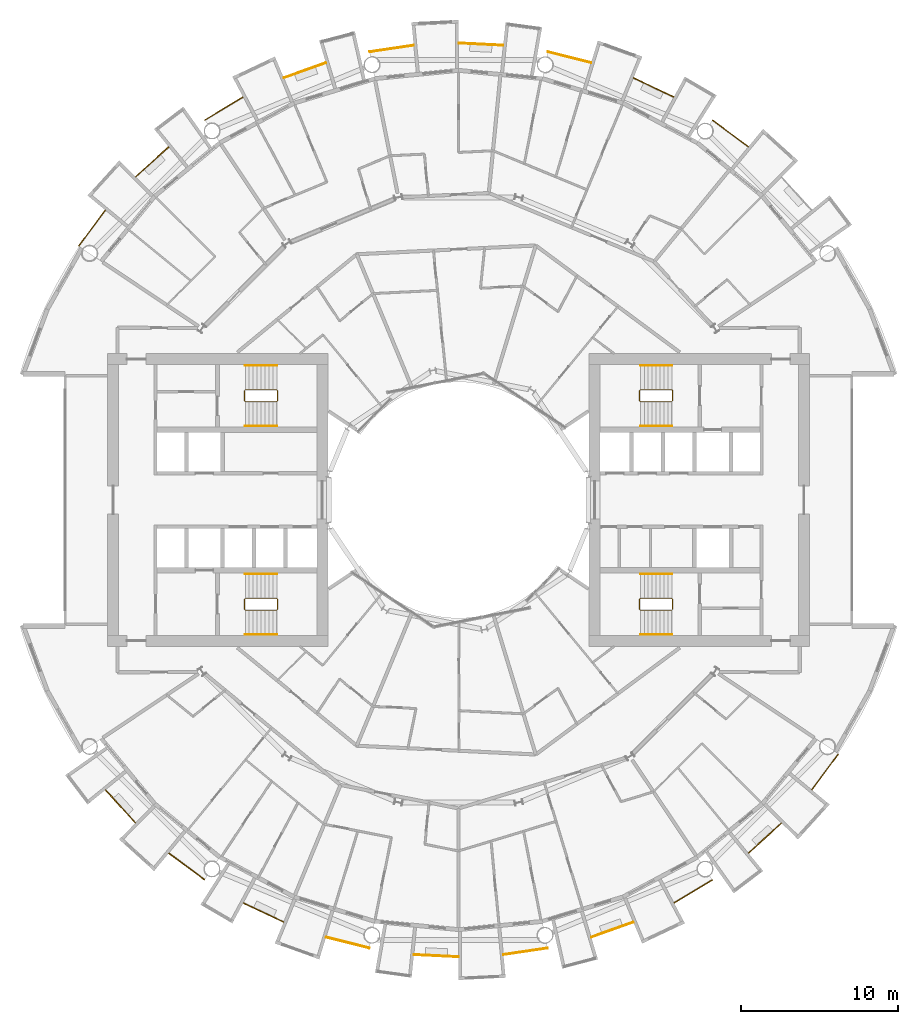
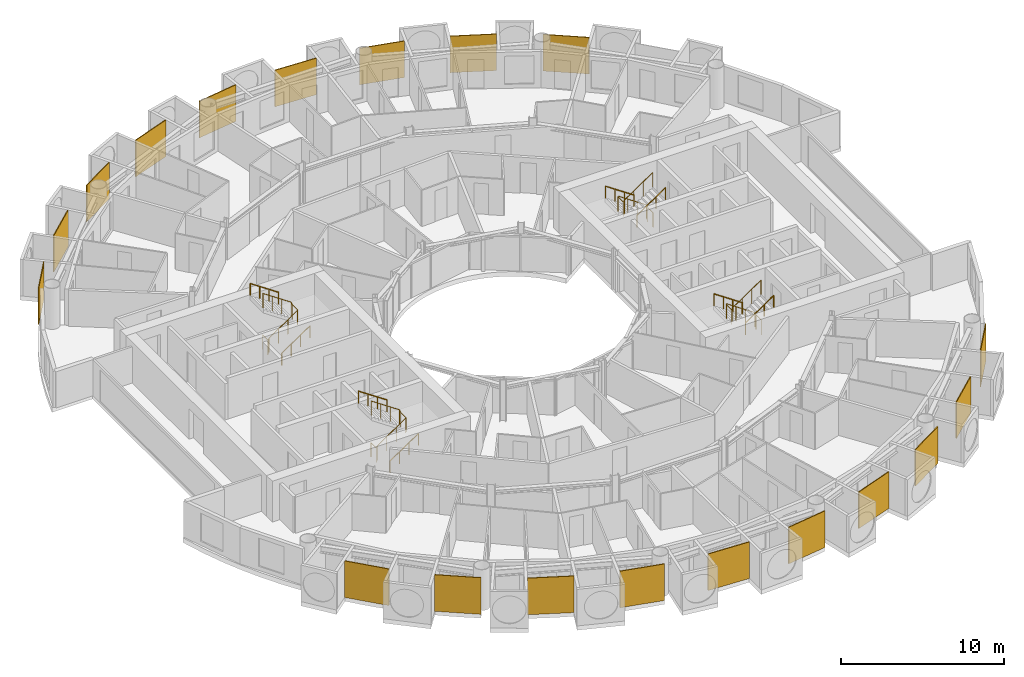
# One storey, part 25 of 26: 31 railings.
"""IFC4 building model written with IfcOpenShell, lengths in metres."""

from ifc_helpers import new_model, si_unit, direction, frame, origin, origin_2d, place, context, subcontext, project, spatial, polyline, circle, outline, extrude, material, layer, layer_set, type_object, element, save


model = new_model("IFC4")

# Units and contexts
model_context = context("Model", 3, precision=1e-05, world=origin(), true_north=direction((0.0, 1.0)))
body_context = subcontext(model_context, "Body", "Model", "MODEL_VIEW")
ifc_project = project(units=[si_unit("LENGTHUNIT", "METRE"), si_unit("AREAUNIT", "SQUARE_METRE"), si_unit("VOLUMEUNIT", "CUBIC_METRE"), si_unit("PLANEANGLEUNIT", "RADIAN"), si_unit("MASSUNIT", "GRAM", prefix="KILO")], contexts=[model_context])

# Site, building, storey
site_placement = place(None, origin())
site = spatial("IfcSite", under=ifc_project, at=site_placement, CompositionType="ELEMENT")
building_placement = place(site_placement, origin())
building = spatial("IfcBuilding", under=site, at=building_placement, Name="Maasbend Ring Residences", CompositionType="ELEMENT")
storey_placement = place(building_placement, frame((0.0, 0.0, 72.75)))
storey = spatial("IfcBuildingStorey", under=building, at=storey_placement, Name="L20", CompositionType="ELEMENT", Elevation=72.75)

# Railings
ifc_material_1 = material(Name="Pale anodised perforated aluminium", Category="aluminium")
ifc_layer = layer(ifc_material_1, 0.06005859375)
ifc_layer_set = layer_set([ifc_layer], Name="SCREEN-P")
railing_type_1 = type_object("IfcRailingType", Name="SCREEN-P", PredefinedType="GUARDRAIL", material=ifc_layer_set)
railing_1_placement = place(storey_placement, frame((0.0, 0.0, -0.030029296875)))
element("IfcRailing", 1, at=railing_1_placement, inside=storey, type_object=railing_type_1, Name="Perforated screen guard 2", PredefinedType="GUARDRAIL", context=body_context, shape_type="SweptSolid", body=[
    extrude(outline(polyline([(18.39697265625, 22.4169921875), (16.112060546875, 24.113037109375), (16.14697265625, 24.160888671875), (18.43310546875, 22.465087890625), (18.39697265625, 22.4169921875)])), origin(), (0.0, 0.0, 1.0), 2.72998046875),
])
railing_2_placement = place(storey_placement, frame((0.0, 0.0, -0.030029296875)))
element("IfcRailing", 2, at=railing_2_placement, inside=storey, type_object=railing_type_1, Name="Perforated screen guard 3", PredefinedType="GUARDRAIL", context=body_context, shape_type="SweptSolid", body=[
    extrude(outline(polyline([(13.6708984375, 25.575927734375), (11.097900390625, 26.79296875), (11.123046875, 26.846923828125), (13.696044921875, 25.6298828125), (13.6708984375, 25.575927734375)])), origin(), (0.0, 0.0, 1.0), 2.72998046875),
])
railing_3_placement = place(storey_placement, frame((0.0, 0.0, -0.030029296875)))
element("IfcRailing", 3, at=railing_3_placement, inside=storey, type_object=railing_type_1, Name="Perforated screen guard 4", PredefinedType="GUARDRAIL", context=body_context, shape_type="SweptSolid", body=[
    extrude(outline(polyline([(8.41796875, 27.7509765625), (5.657958984375, 28.443115234375), (5.672119140625, 28.5009765625), (8.43310546875, 27.80908203125), (8.41796875, 27.7509765625)])), origin(), (0.0, 0.0, 1.0), 2.72998046875),
])
railing_4_placement = place(storey_placement, frame((0.0, 0.0, -0.030029296875)))
element("IfcRailing", 4, at=railing_4_placement, inside=storey, type_object=railing_type_1, Name="Perforated screen guard 5", PredefinedType="GUARDRAIL", context=body_context, shape_type="SweptSolid", body=[
    extrude(outline(polyline([(2.842041015625, 28.860107421875), (0.0, 29.0), (0.0029296875, 29.06005859375), (2.844970703125, 28.919921875), (2.842041015625, 28.860107421875)])), origin(), (0.0, 0.0, 1.0), 2.72998046875),
])
railing_5_placement = place(storey_placement, frame((0.0, 0.0, -0.030029296875)))
element("IfcRailing", 5, at=railing_5_placement, inside=storey, type_object=railing_type_1, Name="Perforated screen guard 6", PredefinedType="GUARDRAIL", context=body_context, shape_type="SweptSolid", body=[
    extrude(outline(polyline([(-2.842041015625, 28.860107421875), (-5.657958984375, 28.443115234375), (-5.666015625, 28.501953125), (-2.85107421875, 28.919921875), (-2.842041015625, 28.860107421875)])), origin(), (0.0, 0.0, 1.0), 2.72998046875),
])
railing_6_placement = place(storey_placement, frame((0.0, 0.0, -0.030029296875)))
element("IfcRailing", 6, at=railing_6_placement, inside=storey, type_object=railing_type_1, Name="Perforated screen guard 7", PredefinedType="GUARDRAIL", context=body_context, shape_type="SweptSolid", body=[
    extrude(outline(polyline([(-8.41796875, 27.7509765625), (-11.097900390625, 26.79296875), (-11.117919921875, 26.84912109375), (-8.43798828125, 27.80810546875), (-8.41796875, 27.7509765625)])), origin(), (0.0, 0.0, 1.0), 2.72998046875),
])
railing_7_placement = place(storey_placement, frame((0.0, 0.0, -0.030029296875)))
element("IfcRailing", 7, at=railing_7_placement, inside=storey, type_object=railing_type_1, Name="Perforated screen guard 8", PredefinedType="GUARDRAIL", context=body_context, shape_type="SweptSolid", body=[
    extrude(outline(polyline([(-13.6708984375, 25.575927734375), (-16.112060546875, 24.113037109375), (-16.14208984375, 24.1640625), (-13.700927734375, 25.626953125), (-13.6708984375, 25.575927734375)])), origin(), (0.0, 0.0, 1.0), 2.72998046875),
])
railing_8_placement = place(storey_placement, frame((0.0, 0.0, -0.030029296875)))
element("IfcRailing", 8, at=railing_8_placement, inside=storey, type_object=railing_type_1, Name="Perforated screen guard 9", PredefinedType="GUARDRAIL", context=body_context, shape_type="SweptSolid", body=[
    extrude(outline(polyline([(-18.39697265625, 22.4169921875), (-20.506103515625, 20.506103515625), (-20.5458984375, 20.551025390625), (-18.43798828125, 22.4619140625), (-18.39697265625, 22.4169921875)])), origin(), (0.0, 0.0, 1.0), 2.72998046875),
])
railing_9_placement = place(storey_placement, frame((0.0, 0.0, -0.030029296875)))
element("IfcRailing", 9, at=railing_9_placement, inside=storey, type_object=railing_type_1, Name="Perforated screen guard 10", PredefinedType="GUARDRAIL", context=body_context, shape_type="SweptSolid", body=[
    extrude(outline(polyline([(-22.4169921875, 18.39697265625), (-24.113037109375, 16.112060546875), (-24.160888671875, 16.14697265625), (-22.465087890625, 18.43310546875), (-22.4169921875, 18.39697265625)])), origin(), (0.0, 0.0, 1.0), 2.72998046875),
])
railing_10_placement = place(storey_placement, frame((0.0, 0.0, -0.030029296875)))
element("IfcRailing", 10, at=railing_10_placement, inside=storey, type_object=railing_type_1, Name="Perforated screen guard 1", PredefinedType="GUARDRAIL", context=body_context, shape_type="SweptSolid", body=[
    extrude(outline(polyline([(-22.4169921875, -18.39697265625), (-20.506103515625, -20.506103515625), (-20.551025390625, -20.5458984375), (-22.4619140625, -18.43798828125), (-22.4169921875, -18.39697265625)])), origin(), (0.0, 0.0, 1.0), 2.72998046875),
])
railing_11_placement = place(storey_placement, frame((0.0, 0.0, -0.030029296875)))
element("IfcRailing", 11, at=railing_11_placement, inside=storey, type_object=railing_type_1, Name="Perforated screen guard 2", PredefinedType="GUARDRAIL", context=body_context, shape_type="SweptSolid", body=[
    extrude(outline(polyline([(-18.39697265625, -22.4169921875), (-16.112060546875, -24.113037109375), (-16.14697265625, -24.160888671875), (-18.43310546875, -22.465087890625), (-18.39697265625, -22.4169921875)])), origin(), (0.0, 0.0, 1.0), 2.72998046875),
])
railing_12_placement = place(storey_placement, frame((0.0, 0.0, -0.030029296875)))
element("IfcRailing", 12, at=railing_12_placement, inside=storey, type_object=railing_type_1, Name="Perforated screen guard 3", PredefinedType="GUARDRAIL", context=body_context, shape_type="SweptSolid", body=[
    extrude(outline(polyline([(-13.6708984375, -25.575927734375), (-11.097900390625, -26.79296875), (-11.123046875, -26.846923828125), (-13.696044921875, -25.6298828125), (-13.6708984375, -25.575927734375)])), origin(), (0.0, 0.0, 1.0), 2.72998046875),
])
railing_13_placement = place(storey_placement, frame((0.0, 0.0, -0.030029296875)))
element("IfcRailing", 13, at=railing_13_placement, inside=storey, type_object=railing_type_1, Name="Perforated screen guard 4", PredefinedType="GUARDRAIL", context=body_context, shape_type="SweptSolid", body=[
    extrude(outline(polyline([(-8.41796875, -27.7509765625), (-5.657958984375, -28.443115234375), (-5.672119140625, -28.5009765625), (-8.43310546875, -27.80908203125), (-8.41796875, -27.7509765625)])), origin(), (0.0, 0.0, 1.0), 2.72998046875),
])
railing_14_placement = place(storey_placement, frame((0.0, 0.0, -0.030029296875)))
element("IfcRailing", 14, at=railing_14_placement, inside=storey, type_object=railing_type_1, Name="Perforated screen guard 5", PredefinedType="GUARDRAIL", context=body_context, shape_type="SweptSolid", body=[
    extrude(outline(polyline([(-2.842041015625, -28.860107421875), (0.0, -29.0), (-0.0029296875, -29.06005859375), (-2.844970703125, -28.919921875), (-2.842041015625, -28.860107421875)])), origin(), (0.0, 0.0, 1.0), 2.72998046875),
])
railing_15_placement = place(storey_placement, frame((0.0, 0.0, -0.030029296875)))
element("IfcRailing", 15, at=railing_15_placement, inside=storey, type_object=railing_type_1, Name="Perforated screen guard 6", PredefinedType="GUARDRAIL", context=body_context, shape_type="SweptSolid", body=[
    extrude(outline(polyline([(2.842041015625, -28.860107421875), (5.657958984375, -28.443115234375), (5.666015625, -28.501953125), (2.85107421875, -28.919921875), (2.842041015625, -28.860107421875)])), origin(), (0.0, 0.0, 1.0), 2.72998046875),
])
railing_16_placement = place(storey_placement, frame((0.0, 0.0, -0.030029296875)))
element("IfcRailing", 16, at=railing_16_placement, inside=storey, type_object=railing_type_1, Name="Perforated screen guard 7", PredefinedType="GUARDRAIL", context=body_context, shape_type="SweptSolid", body=[
    extrude(outline(polyline([(8.41796875, -27.7509765625), (11.097900390625, -26.79296875), (11.117919921875, -26.84912109375), (8.43798828125, -27.80810546875), (8.41796875, -27.7509765625)])), origin(), (0.0, 0.0, 1.0), 2.72998046875),
])
railing_17_placement = place(storey_placement, frame((0.0, 0.0, -0.030029296875)))
element("IfcRailing", 17, at=railing_17_placement, inside=storey, type_object=railing_type_1, Name="Perforated screen guard 8", PredefinedType="GUARDRAIL", context=body_context, shape_type="SweptSolid", body=[
    extrude(outline(polyline([(13.6708984375, -25.575927734375), (16.112060546875, -24.113037109375), (16.14208984375, -24.1640625), (13.700927734375, -25.626953125), (13.6708984375, -25.575927734375)])), origin(), (0.0, 0.0, 1.0), 2.72998046875),
])
railing_18_placement = place(storey_placement, frame((0.0, 0.0, -0.030029296875)))
element("IfcRailing", 18, at=railing_18_placement, inside=storey, type_object=railing_type_1, Name="Perforated screen guard 9", PredefinedType="GUARDRAIL", context=body_context, shape_type="SweptSolid", body=[
    extrude(outline(polyline([(18.39697265625, -22.4169921875), (20.506103515625, -20.506103515625), (20.5458984375, -20.551025390625), (18.43798828125, -22.4619140625), (18.39697265625, -22.4169921875)])), origin(), (0.0, 0.0, 1.0), 2.72998046875),
])
railing_19_placement = place(storey_placement, frame((0.0, 0.0, -0.030029296875)))
element("IfcRailing", 19, at=railing_19_placement, inside=storey, type_object=railing_type_1, Name="Perforated screen guard 10", PredefinedType="GUARDRAIL", context=body_context, shape_type="SweptSolid", body=[
    extrude(outline(polyline([(22.4169921875, -18.39697265625), (24.113037109375, -16.112060546875), (24.160888671875, -16.14697265625), (22.465087890625, -18.43310546875), (22.4169921875, -18.39697265625)])), origin(), (0.0, 0.0, 1.0), 2.72998046875),
])
ifc_material_2 = material(Name="Stainless steel 316", Category="steel")
railing_type_2 = type_object("IfcRailingType", Name="STAIR GUARD 1100", PredefinedType="GUARDRAIL", material=ifc_material_2)
railing_20_placement = place(storey_placement, frame((13.60009765625, 6.300048828125, 0.0)))
element("IfcRailing", 20, at=railing_20_placement, inside=storey, type_object=railing_type_2, Name="L20 ST-E1 stair guard 1", PredefinedType="GUARDRAIL", context=body_context, shape_type="SweptSolid", body=[
    extrude(circle(Radius=0.02392578125, at=origin_2d()), frame((0.0, 0.0, 1.076171875), z_axis=(0.0, 1.0, 0.0), x_axis=(-1.0, 0.0, 0.0)), (0.0, 0.0, 1.0), 0.64990234375),
    extrude(circle(Radius=0.02392578125, at=origin_2d()), frame((0.0, 0.64990234375, 1.076171875), z_axis=(-0.272562526181, 0.272562526181, 0.92272386912), x_axis=(-0.707106781187, -0.707106781187, 0.0)), (0.0, 0.0, 1.0), 0.18359375),
    extrude(circle(Radius=0.02392578125, at=origin_2d()), frame((-0.050048828125, 0.699951171875, 1.24560546875), z_axis=(-0.827797584762, 0.0, 0.561026878735), x_axis=(0.0, -1.0, 0.0)), (0.0, 0.0, 1.0), 2.416015625),
    extrude(circle(Radius=0.02392578125, at=origin_2d()), frame((-2.050048828125, 0.699951171875, 2.60107421875), z_axis=(-0.707106781187, -0.707106781187, 0.0), x_axis=(0.707106781187, -0.707106781187, 0.0)), (0.0, 0.0, 1.0), 0.07080078125),
    extrude(circle(Radius=0.02392578125, at=origin_2d()), frame((-2.10009765625, 0.64990234375, 2.60107421875), z_axis=(0.0, -1.0, 0.0), x_axis=(1.0, 0.0, 0.0)), (0.0, 0.0, 1.0), 0.64990234375),
    extrude(circle(Radius=0.02392578125, at=origin_2d()), frame((-2.10009765625, 0.0, 2.60107421875), z_axis=(0.272562526181, -0.272562526181, 0.92272386912), x_axis=(0.707106781187, 0.707106781187, 0.0)), (0.0, 0.0, 1.0), 0.18359375),
    extrude(circle(Radius=0.02392578125, at=origin_2d()), frame((-2.050048828125, -0.050048828125, 2.7705078125), z_axis=(0.827750655447, 0.0, 0.561096116906), x_axis=(0.0, 1.0, 0.0)), (0.0, 0.0, 1.0), 2.416259765625),
    extrude(circle(Radius=0.02099609375, at=origin_2d()), origin(), (0.0, 0.0, 1.0), 1.052001953125),
    extrude(circle(Radius=0.02099609375, at=origin_2d()), frame((0.0, 0.64990234375, 0.0)), (0.0, 0.0, 1.0), 1.052001953125),
    extrude(circle(Radius=0.02099609375, at=origin_2d()), frame((-0.050048828125, 0.699951171875, 0.16943359375)), (0.0, 0.0, 1.0), 1.052001953125),
    extrude(circle(Radius=0.02099609375, at=origin_2d()), frame((-0.716796875, 0.699951171875, 0.621337890625)), (0.0, 0.0, 1.0), 1.052001953125),
    extrude(circle(Radius=0.02099609375, at=origin_2d()), frame((-1.38330078125, 0.699951171875, 1.072998046875)), (0.0, 0.0, 1.0), 1.052001953125),
    extrude(circle(Radius=0.02099609375, at=origin_2d()), frame((-2.050048828125, 0.699951171875, 1.52490234375)), (0.0, 0.0, 1.0), 1.052001953125),
    extrude(circle(Radius=0.02099609375, at=origin_2d()), frame((-2.10009765625, 0.64990234375, 1.52490234375)), (0.0, 0.0, 1.0), 1.052001953125),
    extrude(circle(Radius=0.02099609375, at=origin_2d()), frame((-2.10009765625, 0.0, 1.52490234375)), (0.0, 0.0, 1.0), 1.052001953125),
    extrude(circle(Radius=0.02099609375, at=origin_2d()), frame((-2.050048828125, -0.050048828125, 1.6943359375)), (0.0, 0.0, 1.0), 1.052001953125),
    extrude(circle(Radius=0.02099609375, at=origin_2d()), frame((-1.38330078125, -0.050048828125, 2.146240234375)), (0.0, 0.0, 1.0), 1.052001953125),
    extrude(circle(Radius=0.02099609375, at=origin_2d()), frame((-0.716796875, -0.050048828125, 2.59814453125)), (0.0, 0.0, 1.0), 1.052001953125),
    extrude(circle(Radius=0.02099609375, at=origin_2d()), frame((-0.050048828125, -0.050048828125, 3.050048828125)), (0.0, 0.0, 1.0), 1.052001953125),
])
railing_21_placement = place(storey_placement, frame((13.60009765625, -6.949951171875, 0.0)))
element("IfcRailing", 21, at=railing_21_placement, inside=storey, type_object=railing_type_2, Name="L20 ST-E2 stair guard 1", PredefinedType="GUARDRAIL", context=body_context, shape_type="SweptSolid", body=[
    extrude(circle(Radius=0.02392578125, at=origin_2d()), frame((0.0, 0.0, 1.076171875), z_axis=(0.0, 1.0, 0.0), x_axis=(-1.0, 0.0, 0.0)), (0.0, 0.0, 1.0), 0.64990234375),
    extrude(circle(Radius=0.02392578125, at=origin_2d()), frame((0.0, 0.64990234375, 1.076171875), z_axis=(-0.272562526181, 0.272562526181, 0.92272386912), x_axis=(-0.707106781187, -0.707106781187, 0.0)), (0.0, 0.0, 1.0), 0.18359375),
    extrude(circle(Radius=0.02392578125, at=origin_2d()), frame((-0.050048828125, 0.699951171875, 1.24560546875), z_axis=(-0.827797584762, 0.0, 0.561026878735), x_axis=(0.0, -1.0, 0.0)), (0.0, 0.0, 1.0), 2.416015625),
    extrude(circle(Radius=0.02392578125, at=origin_2d()), frame((-2.050048828125, 0.699951171875, 2.60107421875), z_axis=(-0.707106781187, -0.707106781187, 0.0), x_axis=(0.707106781187, -0.707106781187, 0.0)), (0.0, 0.0, 1.0), 0.07080078125),
    extrude(circle(Radius=0.02392578125, at=origin_2d()), frame((-2.10009765625, 0.64990234375, 2.60107421875), z_axis=(0.0, -1.0, 0.0), x_axis=(1.0, 0.0, 0.0)), (0.0, 0.0, 1.0), 0.64990234375),
    extrude(circle(Radius=0.02392578125, at=origin_2d()), frame((-2.10009765625, 0.0, 2.60107421875), z_axis=(0.272562526181, -0.272562526181, 0.92272386912), x_axis=(0.707106781187, 0.707106781187, 0.0)), (0.0, 0.0, 1.0), 0.18359375),
    extrude(circle(Radius=0.02392578125, at=origin_2d()), frame((-2.050048828125, -0.050048828125, 2.7705078125), z_axis=(0.827750655447, 0.0, 0.561096116906), x_axis=(0.0, 1.0, 0.0)), (0.0, 0.0, 1.0), 2.416259765625),
    extrude(circle(Radius=0.02099609375, at=origin_2d()), origin(), (0.0, 0.0, 1.0), 1.052001953125),
    extrude(circle(Radius=0.02099609375, at=origin_2d()), frame((0.0, 0.64990234375, 0.0)), (0.0, 0.0, 1.0), 1.052001953125),
    extrude(circle(Radius=0.02099609375, at=origin_2d()), frame((-0.050048828125, 0.699951171875, 0.16943359375)), (0.0, 0.0, 1.0), 1.052001953125),
    extrude(circle(Radius=0.02099609375, at=origin_2d()), frame((-0.716796875, 0.699951171875, 0.621337890625)), (0.0, 0.0, 1.0), 1.052001953125),
    extrude(circle(Radius=0.02099609375, at=origin_2d()), frame((-1.38330078125, 0.699951171875, 1.072998046875)), (0.0, 0.0, 1.0), 1.052001953125),
    extrude(circle(Radius=0.02099609375, at=origin_2d()), frame((-2.050048828125, 0.699951171875, 1.52490234375)), (0.0, 0.0, 1.0), 1.052001953125),
    extrude(circle(Radius=0.02099609375, at=origin_2d()), frame((-2.10009765625, 0.64990234375, 1.52490234375)), (0.0, 0.0, 1.0), 1.052001953125),
    extrude(circle(Radius=0.02099609375, at=origin_2d()), frame((-2.10009765625, 0.0, 1.52490234375)), (0.0, 0.0, 1.0), 1.052001953125),
    extrude(circle(Radius=0.02099609375, at=origin_2d()), frame((-2.050048828125, -0.050048828125, 1.6943359375)), (0.0, 0.0, 1.0), 1.052001953125),
    extrude(circle(Radius=0.02099609375, at=origin_2d()), frame((-1.38330078125, -0.050048828125, 2.146240234375)), (0.0, 0.0, 1.0), 1.052001953125),
    extrude(circle(Radius=0.02099609375, at=origin_2d()), frame((-0.716796875, -0.050048828125, 2.59814453125)), (0.0, 0.0, 1.0), 1.052001953125),
    extrude(circle(Radius=0.02099609375, at=origin_2d()), frame((-0.050048828125, -0.050048828125, 3.050048828125)), (0.0, 0.0, 1.0), 1.052001953125),
])
railing_22_placement = place(storey_placement, frame((-13.60009765625, -6.300048828125, 0.0)))
element("IfcRailing", 22, at=railing_22_placement, inside=storey, type_object=railing_type_2, Name="L20 ST-W1 stair guard 1", PredefinedType="GUARDRAIL", context=body_context, shape_type="SweptSolid", body=[
    extrude(circle(Radius=0.02392578125, at=origin_2d()), frame((0.0, 0.0, 1.076171875), z_axis=(0.0, -1.0, 0.0), x_axis=(1.0, 0.0, 0.0)), (0.0, 0.0, 1.0), 0.64990234375),
    extrude(circle(Radius=0.02392578125, at=origin_2d()), frame((0.0, -0.64990234375, 1.076171875), z_axis=(0.272562526181, -0.272562526181, 0.92272386912), x_axis=(0.707106781187, 0.707106781187, 0.0)), (0.0, 0.0, 1.0), 0.18359375),
    extrude(circle(Radius=0.02392578125, at=origin_2d()), frame((0.050048828125, -0.699951171875, 1.24560546875), z_axis=(0.827797584762, 0.0, 0.561026878735), x_axis=(0.0, 1.0, 0.0)), (0.0, 0.0, 1.0), 2.416015625),
    extrude(circle(Radius=0.02392578125, at=origin_2d()), frame((2.050048828125, -0.699951171875, 2.60107421875), z_axis=(0.707106781187, 0.707106781187, 0.0), x_axis=(-0.707106781187, 0.707106781187, 0.0)), (0.0, 0.0, 1.0), 0.07080078125),
    extrude(circle(Radius=0.02392578125, at=origin_2d()), frame((2.10009765625, -0.64990234375, 2.60107421875), z_axis=(0.0, 1.0, 0.0), x_axis=(-1.0, 0.0, 0.0)), (0.0, 0.0, 1.0), 0.64990234375),
    extrude(circle(Radius=0.02392578125, at=origin_2d()), frame((2.10009765625, 0.0, 2.60107421875), z_axis=(-0.272562526181, 0.272562526181, 0.92272386912), x_axis=(-0.707106781187, -0.707106781187, 0.0)), (0.0, 0.0, 1.0), 0.18359375),
    extrude(circle(Radius=0.02392578125, at=origin_2d()), frame((2.050048828125, 0.050048828125, 2.7705078125), z_axis=(-0.827750655447, 0.0, 0.561096116906), x_axis=(0.0, -1.0, 0.0)), (0.0, 0.0, 1.0), 2.416259765625),
    extrude(circle(Radius=0.02099609375, at=origin_2d()), origin(), (0.0, 0.0, 1.0), 1.052001953125),
    extrude(circle(Radius=0.02099609375, at=origin_2d()), frame((0.0, -0.64990234375, 0.0)), (0.0, 0.0, 1.0), 1.052001953125),
    extrude(circle(Radius=0.02099609375, at=origin_2d()), frame((0.050048828125, -0.699951171875, 0.16943359375)), (0.0, 0.0, 1.0), 1.052001953125),
    extrude(circle(Radius=0.02099609375, at=origin_2d()), frame((0.716796875, -0.699951171875, 0.621337890625)), (0.0, 0.0, 1.0), 1.052001953125),
    extrude(circle(Radius=0.02099609375, at=origin_2d()), frame((1.38330078125, -0.699951171875, 1.072998046875)), (0.0, 0.0, 1.0), 1.052001953125),
    extrude(circle(Radius=0.02099609375, at=origin_2d()), frame((2.050048828125, -0.699951171875, 1.52490234375)), (0.0, 0.0, 1.0), 1.052001953125),
    extrude(circle(Radius=0.02099609375, at=origin_2d()), frame((2.10009765625, -0.64990234375, 1.52490234375)), (0.0, 0.0, 1.0), 1.052001953125),
    extrude(circle(Radius=0.02099609375, at=origin_2d()), frame((2.10009765625, 0.0, 1.52490234375)), (0.0, 0.0, 1.0), 1.052001953125),
    extrude(circle(Radius=0.02099609375, at=origin_2d()), frame((2.050048828125, 0.050048828125, 1.6943359375)), (0.0, 0.0, 1.0), 1.052001953125),
    extrude(circle(Radius=0.02099609375, at=origin_2d()), frame((1.38330078125, 0.050048828125, 2.146240234375)), (0.0, 0.0, 1.0), 1.052001953125),
    extrude(circle(Radius=0.02099609375, at=origin_2d()), frame((0.716796875, 0.050048828125, 2.59814453125)), (0.0, 0.0, 1.0), 1.052001953125),
    extrude(circle(Radius=0.02099609375, at=origin_2d()), frame((0.050048828125, 0.050048828125, 3.050048828125)), (0.0, 0.0, 1.0), 1.052001953125),
])
railing_23_placement = place(storey_placement, frame((-13.60009765625, 6.949951171875, 0.0)))
element("IfcRailing", 23, at=railing_23_placement, inside=storey, type_object=railing_type_2, Name="L20 ST-W2 stair guard 1", PredefinedType="GUARDRAIL", context=body_context, shape_type="SweptSolid", body=[
    extrude(circle(Radius=0.02392578125, at=origin_2d()), frame((0.0, 0.0, 1.076171875), z_axis=(0.0, -1.0, 0.0), x_axis=(1.0, 0.0, 0.0)), (0.0, 0.0, 1.0), 0.64990234375),
    extrude(circle(Radius=0.02392578125, at=origin_2d()), frame((0.0, -0.64990234375, 1.076171875), z_axis=(0.272562526181, -0.272562526181, 0.92272386912), x_axis=(0.707106781187, 0.707106781187, 0.0)), (0.0, 0.0, 1.0), 0.18359375),
    extrude(circle(Radius=0.02392578125, at=origin_2d()), frame((0.050048828125, -0.699951171875, 1.24560546875), z_axis=(0.827797584762, 0.0, 0.561026878735), x_axis=(0.0, 1.0, 0.0)), (0.0, 0.0, 1.0), 2.416015625),
    extrude(circle(Radius=0.02392578125, at=origin_2d()), frame((2.050048828125, -0.699951171875, 2.60107421875), z_axis=(0.707106781187, 0.707106781187, 0.0), x_axis=(-0.707106781187, 0.707106781187, 0.0)), (0.0, 0.0, 1.0), 0.07080078125),
    extrude(circle(Radius=0.02392578125, at=origin_2d()), frame((2.10009765625, -0.64990234375, 2.60107421875), z_axis=(0.0, 1.0, 0.0), x_axis=(-1.0, 0.0, 0.0)), (0.0, 0.0, 1.0), 0.64990234375),
    extrude(circle(Radius=0.02392578125, at=origin_2d()), frame((2.10009765625, 0.0, 2.60107421875), z_axis=(-0.272562526181, 0.272562526181, 0.92272386912), x_axis=(-0.707106781187, -0.707106781187, 0.0)), (0.0, 0.0, 1.0), 0.18359375),
    extrude(circle(Radius=0.02392578125, at=origin_2d()), frame((2.050048828125, 0.050048828125, 2.7705078125), z_axis=(-0.827750655447, 0.0, 0.561096116906), x_axis=(0.0, -1.0, 0.0)), (0.0, 0.0, 1.0), 2.416259765625),
    extrude(circle(Radius=0.02099609375, at=origin_2d()), origin(), (0.0, 0.0, 1.0), 1.052001953125),
    extrude(circle(Radius=0.02099609375, at=origin_2d()), frame((0.0, -0.64990234375, 0.0)), (0.0, 0.0, 1.0), 1.052001953125),
    extrude(circle(Radius=0.02099609375, at=origin_2d()), frame((0.050048828125, -0.699951171875, 0.16943359375)), (0.0, 0.0, 1.0), 1.052001953125),
    extrude(circle(Radius=0.02099609375, at=origin_2d()), frame((0.716796875, -0.699951171875, 0.621337890625)), (0.0, 0.0, 1.0), 1.052001953125),
    extrude(circle(Radius=0.02099609375, at=origin_2d()), frame((1.38330078125, -0.699951171875, 1.072998046875)), (0.0, 0.0, 1.0), 1.052001953125),
    extrude(circle(Radius=0.02099609375, at=origin_2d()), frame((2.050048828125, -0.699951171875, 1.52490234375)), (0.0, 0.0, 1.0), 1.052001953125),
    extrude(circle(Radius=0.02099609375, at=origin_2d()), frame((2.10009765625, -0.64990234375, 1.52490234375)), (0.0, 0.0, 1.0), 1.052001953125),
    extrude(circle(Radius=0.02099609375, at=origin_2d()), frame((2.10009765625, 0.0, 1.52490234375)), (0.0, 0.0, 1.0), 1.052001953125),
    extrude(circle(Radius=0.02099609375, at=origin_2d()), frame((2.050048828125, 0.050048828125, 1.6943359375)), (0.0, 0.0, 1.0), 1.052001953125),
    extrude(circle(Radius=0.02099609375, at=origin_2d()), frame((1.38330078125, 0.050048828125, 2.146240234375)), (0.0, 0.0, 1.0), 1.052001953125),
    extrude(circle(Radius=0.02099609375, at=origin_2d()), frame((0.716796875, 0.050048828125, 2.59814453125)), (0.0, 0.0, 1.0), 1.052001953125),
    extrude(circle(Radius=0.02099609375, at=origin_2d()), frame((0.050048828125, 0.050048828125, 3.050048828125)), (0.0, 0.0, 1.0), 1.052001953125),
])
ifc_material_3 = material(Name="Stainless steel 316", Category="steel")
railing_type_3 = type_object("IfcRailingType", Name="STAIR HANDRAIL 900", PredefinedType="HANDRAIL", material=ifc_material_3)
railing_24_placement = place(storey_placement, frame((13.550048828125, 8.550048828125, 0.16943359375)))
element("IfcRailing", 24, at=railing_24_placement, inside=storey, type_object=railing_type_3, Name="L20 ST-E1 stair handrail 1", PredefinedType="HANDRAIL", context=body_context, shape_type="SweptSolid", body=[
    extrude(circle(Radius=0.02392578125, at=origin_2d()), frame((0.0, 0.0, 0.8759765625), z_axis=(-0.827797584762, 0.0, 0.561026878735), x_axis=(0.0, -1.0, 0.0)), (0.0, 0.0, 1.0), 2.416015625),
    extrude(circle(Radius=0.02099609375, at=origin_2d()), origin(), (0.0, 0.0, 1.0), 0.851806640625),
    extrude(circle(Radius=0.02099609375, at=origin_2d()), frame((-0.666748046875, 0.0, 0.451904296875)), (0.0, 0.0, 1.0), 0.851806640625),
    extrude(circle(Radius=0.02099609375, at=origin_2d()), frame((-1.333251953125, 0.0, 0.903564453125)), (0.0, 0.0, 1.0), 0.851806640625),
    extrude(circle(Radius=0.02099609375, at=origin_2d()), frame((-2.0, 0.0, 1.35546875)), (0.0, 0.0, 1.0), 0.851806640625),
])
railing_25_placement = place(storey_placement, frame((11.550048828125, 4.699951171875, 1.6943359375)))
element("IfcRailing", 25, at=railing_25_placement, inside=storey, type_object=railing_type_3, Name="L20 ST-E1 stair handrail 2", PredefinedType="HANDRAIL", context=body_context, shape_type="SweptSolid", body=[
    extrude(circle(Radius=0.02392578125, at=origin_2d()), frame((0.0, 0.0, 0.8759765625), z_axis=(0.827750655447, 0.0, 0.561096116906), x_axis=(0.0, 1.0, 0.0)), (0.0, 0.0, 1.0), 2.416259765625),
    extrude(circle(Radius=0.02099609375, at=origin_2d()), origin(), (0.0, 0.0, 1.0), 0.851806640625),
    extrude(circle(Radius=0.02099609375, at=origin_2d()), frame((0.666748046875, 0.0, 0.451904296875)), (0.0, 0.0, 1.0), 0.851806640625),
    extrude(circle(Radius=0.02099609375, at=origin_2d()), frame((1.333251953125, 0.0, 0.90380859375)), (0.0, 0.0, 1.0), 0.851806640625),
    extrude(circle(Radius=0.02099609375, at=origin_2d()), frame((2.0, 0.0, 1.355712890625)), (0.0, 0.0, 1.0), 0.851806640625),
])
railing_26_placement = place(storey_placement, frame((13.550048828125, -4.699951171875, 0.16943359375)))
element("IfcRailing", 26, at=railing_26_placement, inside=storey, type_object=railing_type_3, Name="L20 ST-E2 stair handrail 1", PredefinedType="HANDRAIL", context=body_context, shape_type="SweptSolid", body=[
    extrude(circle(Radius=0.02392578125, at=origin_2d()), frame((0.0, 0.0, 0.8759765625), z_axis=(-0.827797584762, 0.0, 0.561026878735), x_axis=(0.0, -1.0, 0.0)), (0.0, 0.0, 1.0), 2.416015625),
    extrude(circle(Radius=0.02099609375, at=origin_2d()), origin(), (0.0, 0.0, 1.0), 0.851806640625),
    extrude(circle(Radius=0.02099609375, at=origin_2d()), frame((-0.666748046875, 0.0, 0.451904296875)), (0.0, 0.0, 1.0), 0.851806640625),
    extrude(circle(Radius=0.02099609375, at=origin_2d()), frame((-1.333251953125, 0.0, 0.903564453125)), (0.0, 0.0, 1.0), 0.851806640625),
    extrude(circle(Radius=0.02099609375, at=origin_2d()), frame((-2.0, 0.0, 1.35546875)), (0.0, 0.0, 1.0), 0.851806640625),
])
railing_27_placement = place(storey_placement, frame((11.550048828125, -8.550048828125, 1.6943359375)))
element("IfcRailing", 27, at=railing_27_placement, inside=storey, type_object=railing_type_3, Name="L20 ST-E2 stair handrail 2", PredefinedType="HANDRAIL", context=body_context, shape_type="SweptSolid", body=[
    extrude(circle(Radius=0.02392578125, at=origin_2d()), frame((0.0, 0.0, 0.8759765625), z_axis=(0.827750655447, 0.0, 0.561096116906), x_axis=(0.0, 1.0, 0.0)), (0.0, 0.0, 1.0), 2.416259765625),
    extrude(circle(Radius=0.02099609375, at=origin_2d()), origin(), (0.0, 0.0, 1.0), 0.851806640625),
    extrude(circle(Radius=0.02099609375, at=origin_2d()), frame((0.666748046875, 0.0, 0.451904296875)), (0.0, 0.0, 1.0), 0.851806640625),
    extrude(circle(Radius=0.02099609375, at=origin_2d()), frame((1.333251953125, 0.0, 0.90380859375)), (0.0, 0.0, 1.0), 0.851806640625),
    extrude(circle(Radius=0.02099609375, at=origin_2d()), frame((2.0, 0.0, 1.355712890625)), (0.0, 0.0, 1.0), 0.851806640625),
])
railing_28_placement = place(storey_placement, frame((-13.550048828125, -8.550048828125, 0.16943359375)))
element("IfcRailing", 28, at=railing_28_placement, inside=storey, type_object=railing_type_3, Name="L20 ST-W1 stair handrail 1", PredefinedType="HANDRAIL", context=body_context, shape_type="SweptSolid", body=[
    extrude(circle(Radius=0.02392578125, at=origin_2d()), frame((0.0, 0.0, 0.8759765625), z_axis=(0.827797584762, 0.0, 0.561026878735), x_axis=(0.0, 1.0, 0.0)), (0.0, 0.0, 1.0), 2.416015625),
    extrude(circle(Radius=0.02099609375, at=origin_2d()), origin(), (0.0, 0.0, 1.0), 0.851806640625),
    extrude(circle(Radius=0.02099609375, at=origin_2d()), frame((0.666748046875, 0.0, 0.451904296875)), (0.0, 0.0, 1.0), 0.851806640625),
    extrude(circle(Radius=0.02099609375, at=origin_2d()), frame((1.333251953125, 0.0, 0.903564453125)), (0.0, 0.0, 1.0), 0.851806640625),
    extrude(circle(Radius=0.02099609375, at=origin_2d()), frame((2.0, 0.0, 1.35546875)), (0.0, 0.0, 1.0), 0.851806640625),
])
railing_29_placement = place(storey_placement, frame((-11.550048828125, -4.699951171875, 1.6943359375)))
element("IfcRailing", 29, at=railing_29_placement, inside=storey, type_object=railing_type_3, Name="L20 ST-W1 stair handrail 2", PredefinedType="HANDRAIL", context=body_context, shape_type="SweptSolid", body=[
    extrude(circle(Radius=0.02392578125, at=origin_2d()), frame((0.0, 0.0, 0.8759765625), z_axis=(-0.827750655447, 0.0, 0.561096116906), x_axis=(0.0, -1.0, 0.0)), (0.0, 0.0, 1.0), 2.416259765625),
    extrude(circle(Radius=0.02099609375, at=origin_2d()), origin(), (0.0, 0.0, 1.0), 0.851806640625),
    extrude(circle(Radius=0.02099609375, at=origin_2d()), frame((-0.666748046875, 0.0, 0.451904296875)), (0.0, 0.0, 1.0), 0.851806640625),
    extrude(circle(Radius=0.02099609375, at=origin_2d()), frame((-1.333251953125, 0.0, 0.90380859375)), (0.0, 0.0, 1.0), 0.851806640625),
    extrude(circle(Radius=0.02099609375, at=origin_2d()), frame((-2.0, 0.0, 1.355712890625)), (0.0, 0.0, 1.0), 0.851806640625),
])
railing_30_placement = place(storey_placement, frame((-13.550048828125, 4.699951171875, 0.16943359375)))
element("IfcRailing", 30, at=railing_30_placement, inside=storey, type_object=railing_type_3, Name="L20 ST-W2 stair handrail 1", PredefinedType="HANDRAIL", context=body_context, shape_type="SweptSolid", body=[
    extrude(circle(Radius=0.02392578125, at=origin_2d()), frame((0.0, 0.0, 0.8759765625), z_axis=(0.827797584762, 0.0, 0.561026878735), x_axis=(0.0, 1.0, 0.0)), (0.0, 0.0, 1.0), 2.416015625),
    extrude(circle(Radius=0.02099609375, at=origin_2d()), origin(), (0.0, 0.0, 1.0), 0.851806640625),
    extrude(circle(Radius=0.02099609375, at=origin_2d()), frame((0.666748046875, 0.0, 0.451904296875)), (0.0, 0.0, 1.0), 0.851806640625),
    extrude(circle(Radius=0.02099609375, at=origin_2d()), frame((1.333251953125, 0.0, 0.903564453125)), (0.0, 0.0, 1.0), 0.851806640625),
    extrude(circle(Radius=0.02099609375, at=origin_2d()), frame((2.0, 0.0, 1.35546875)), (0.0, 0.0, 1.0), 0.851806640625),
])
railing_31_placement = place(storey_placement, frame((-11.550048828125, 8.550048828125, 1.6943359375)))
element("IfcRailing", 31, at=railing_31_placement, inside=storey, type_object=railing_type_3, Name="L20 ST-W2 stair handrail 2", PredefinedType="HANDRAIL", context=body_context, shape_type="SweptSolid", body=[
    extrude(circle(Radius=0.02392578125, at=origin_2d()), frame((0.0, 0.0, 0.8759765625), z_axis=(-0.827750655447, 0.0, 0.561096116906), x_axis=(0.0, -1.0, 0.0)), (0.0, 0.0, 1.0), 2.416259765625),
    extrude(circle(Radius=0.02099609375, at=origin_2d()), origin(), (0.0, 0.0, 1.0), 0.851806640625),
    extrude(circle(Radius=0.02099609375, at=origin_2d()), frame((-0.666748046875, 0.0, 0.451904296875)), (0.0, 0.0, 1.0), 0.851806640625),
    extrude(circle(Radius=0.02099609375, at=origin_2d()), frame((-1.333251953125, 0.0, 0.90380859375)), (0.0, 0.0, 1.0), 0.851806640625),
    extrude(circle(Radius=0.02099609375, at=origin_2d()), frame((-2.0, 0.0, 1.355712890625)), (0.0, 0.0, 1.0), 0.851806640625),
])

save(model, "model.ifc")
